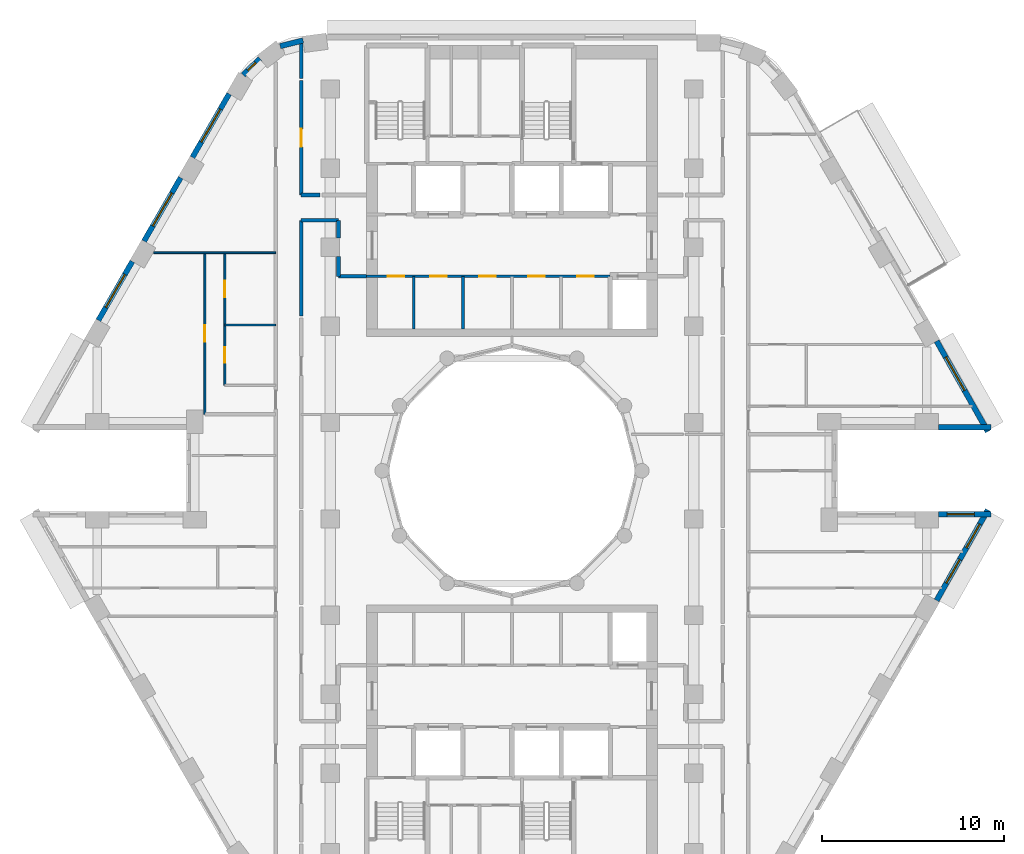
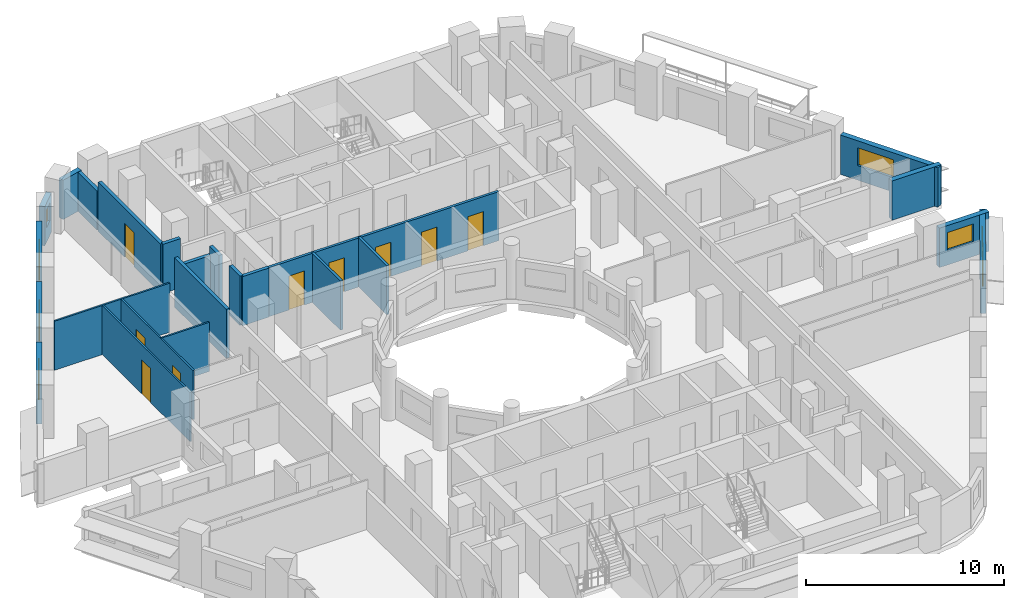
# One storey, part 7 of 14: 24 walls, 9 doors, 8 windows, 17 openings.
"""IFC4 building model written with IfcOpenShell, lengths in metres."""

from ifc_helpers import new_model, si_unit, direction, frame, frame_2d, origin, place, context, subcontext, project, spatial, rectangle, extrude, material, layer, layer_set, type_object, element, fill, save


model = new_model("IFC4")

# Units and contexts
model_context = context("Model", 3, precision=1e-05, world=origin(), true_north=direction((0.0, 1.0)))
body_context = subcontext(model_context, "Body", "Model", "MODEL_VIEW")
ifc_project = project(units=[si_unit("LENGTHUNIT", "METRE"), si_unit("AREAUNIT", "SQUARE_METRE"), si_unit("VOLUMEUNIT", "CUBIC_METRE"), si_unit("PLANEANGLEUNIT", "RADIAN"), si_unit("MASSUNIT", "GRAM", prefix="KILO")], contexts=[model_context])

# Site, building, storey
site_placement = place(None, origin())
site = spatial("IfcSite", under=ifc_project, at=site_placement, CompositionType="ELEMENT")
building_placement = place(site_placement, origin())
building = spatial("IfcBuilding", under=site, at=building_placement, Name="Nakaniwa Court", CompositionType="ELEMENT")
storey_placement = place(building_placement, frame((0.0, 0.0, 163.5)))
storey = spatial("IfcBuildingStorey", under=building, at=storey_placement, Name="L43", CompositionType="ELEMENT", Elevation=163.5)

# Walls
ifc_material_1 = material(Name="Acoustic double stud partition")
ifc_layer_1 = layer(ifc_material_1, 0.199951171875)
ifc_layer_set_1 = layer_set([ifc_layer_1], Name="Acoustic double stud partition")
wall_type_1 = type_object("IfcWallType", Name="Acoustic double stud partition 200", PredefinedType="PARTITIONING", material=ifc_layer_set_1)
wall_1_placement = place(storey_placement, frame((68.39990234375, 93.77490234375, 0.0), z_axis=(0.0, 0.0, 1.0), x_axis=(1.0, 0.0, 0.0)))
element("IfcWall", 1, at=wall_1_placement, inside=storey, type_object=wall_type_1, Name="Partition PW-094", PredefinedType="PARTITIONING", context=body_context, shape_type="SweptSolid", body=[
    extrude(rectangle(XDim=2.050048828125, YDim=0.199951171875, at=frame_2d((1.02490234375, 0.0))), origin(), (0.0, 0.0, 1.0), 2.5048828125),
])
wall_2_placement = place(storey_placement, frame((70.449951171875, 90.699951171875, 0.0), z_axis=(0.0, 0.0, 1.0), x_axis=(1.0, 0.0, 0.0)))
element("IfcWall", 2, at=wall_2_placement, inside=storey, type_object=wall_type_1, Name="Partition PW-096", PredefinedType="PARTITIONING", context=body_context, shape_type="SweptSolid", body=[
    extrude(rectangle(XDim=1.550048828125, YDim=0.199951171875, at=frame_2d((0.77490234375, 0.0))), origin(), (0.0, 0.0, 1.0), 3.02490234375),
])
wall_3_placement = place(storey_placement, frame((68.39990234375, 95.175048828125, 0.0), z_axis=(0.0, 0.0, 1.0), x_axis=(1.0, 0.0, 0.0)))
element("IfcWall", 3, at=wall_3_placement, inside=storey, type_object=wall_type_1, Name="Partition PW-098", PredefinedType="PARTITIONING", context=body_context, shape_type="SweptSolid", body=[
    extrude(rectangle(XDim=1.02294921875, YDim=0.199951171875, at=frame_2d((0.511474609375, 0.0))), origin(), (0.0, 0.0, 1.0), 3.02490234375),
])
wall_4_placement = place(storey_placement, frame((68.39990234375, 88.527099609375, 0.0), z_axis=(0.0, 0.0, 1.0), x_axis=(0.0, 1.0, 0.0)))
element("IfcWall", 4, at=wall_4_placement, inside=storey, type_object=wall_type_1, Name="Partition PW-107", PredefinedType="PARTITIONING", context=body_context, shape_type="SweptSolid", body=[
    extrude(rectangle(XDim=5.247802734375, YDim=0.199951171875, at=frame_2d((2.6240234375, 0.0))), origin(), (0.0, 0.0, 1.0), 3.02490234375),
])

# Wall, opening, door
wall_5_placement = place(storey_placement, frame((68.39990234375, 101.462890625, 0.0), z_axis=(0.0, 0.0, 1.0), x_axis=(0.0, -1.0, 0.0)))
wall_5 = element("IfcWall", 5, at=wall_5_placement, inside=storey, type_object=wall_type_1, Name="Partition PW-108", PredefinedType="PARTITIONING", context=body_context, shape_type="SweptSolid", body=[
    extrude(rectangle(XDim=6.287841796875, YDim=0.199951171875, at=frame_2d((3.14404296875, 0.0))), origin(), (0.0, 0.0, 1.0), 3.02490234375),
])
opening_1_placement = place(wall_5_placement, frame((2.64501953125, 0.0, 0.0)))
opening_1 = element("IfcOpeningElement", 6, at=opening_1_placement, cuts=wall_5, Name="Opening D-02-11", PredefinedType="OPENING", context=body_context, shape_type="SweptSolid", body=[
    extrude(rectangle(XDim=1.0, YDim=2.10009765625, at=frame_2d((0.5, 1.050048828125))), frame((0.0, 0.10986328125, 0.0), z_axis=(0.0, -1.0, 0.0), x_axis=(1.0, 0.0, 0.0)), (0.0, 0.0, 1.0), 0.219970703125),
])
ifc_material_2 = material(Name="Solid core timber door set, black veneer", Category="wood")
door_type_1 = type_object("IfcDoorType", Name="Internal door 1000", OperationType="NOTDEFINED", PredefinedType="DOOR", material=ifc_material_2)
door_1_placement = place(opening_1_placement, origin())
door_1 = element("IfcDoor", 7, at=door_1_placement, inside=storey, type_object=door_type_1, Name="Door D-02-11 L43-057", OperationType="SINGLE_SWING_RIGHT", OverallHeight=2.10009765625, OverallWidth=1.0, PredefinedType="DOOR", context=body_context, shape_type="SweptSolid", body=[
    extrude(rectangle(XDim=1.0, YDim=2.10009765625, at=frame_2d((0.5, 1.050048828125))), frame((0.0, 0.02490234375, 0.0), z_axis=(0.0, -1.0, 0.0), x_axis=(1.0, 0.0, 0.0)), (0.0, 0.0, 1.0), 0.050048828125),
])
fill(opening_1, door_1)

# Walls
wall_6_placement = place(storey_placement, frame((68.39990234375, 101.5771484375, 0.0), z_axis=(0.0, 0.0, 1.0), x_axis=(0.0, 1.0, 0.0)))
element("IfcWall", 8, at=wall_6_placement, inside=storey, type_object=wall_type_1, Name="Partition PW-109", PredefinedType="PARTITIONING", context=body_context, shape_type="SweptSolid", body=[
    extrude(rectangle(XDim=2.02197265625, YDim=0.199951171875, at=frame_2d((1.010986328125, 0.0))), origin(), (0.0, 0.0, 1.0), 2.405029296875),
])
wall_7_placement = place(storey_placement, frame((70.449951171875, 90.699951171875, 0.0), z_axis=(0.0, 0.0, 1.0), x_axis=(0.0, 1.0, 0.0)))
element("IfcWall", 9, at=wall_7_placement, inside=storey, type_object=wall_type_1, Name="Partition PW-113", PredefinedType="PARTITIONING", context=body_context, shape_type="SweptSolid", body=[
    extrude(rectangle(XDim=1.082763671875, YDim=0.199951171875, at=frame_2d((0.54150390625, 0.0))), origin(), (0.0, 0.0, 1.0), 3.02490234375),
])
wall_8_placement = place(storey_placement, frame((70.449951171875, 92.817138671875, 0.0), z_axis=(0.0, 0.0, 1.0), x_axis=(0.0, 1.0, 0.0)))
element("IfcWall", 10, at=wall_8_placement, inside=storey, type_object=wall_type_1, Name="Partition PW-114", PredefinedType="PARTITIONING", context=body_context, shape_type="SweptSolid", body=[
    extrude(rectangle(XDim=0.957763671875, YDim=0.199951171875, at=frame_2d((0.47900390625, 0.0))), origin(), (0.0, 0.0, 1.0), 3.02490234375),
])
ifc_material_3 = material(Name="Charcoal ceramic cladding")
ifc_layer_2 = layer(ifc_material_3, 0.02, Name="Ceramic cladding")
ifc_material_4 = material(Name="Ventilated air cavity")
ifc_layer_3 = layer(ifc_material_4, 0.04, ventilated=True, Name="Ventilated cavity")
ifc_material_5 = material(Name="Mineral wool insulation")
ifc_layer_4 = layer(ifc_material_5, 0.1, Name="Insulation")
ifc_material_6 = material(Name="Cement bonded sheathing board")
ifc_layer_5 = layer(ifc_material_6, 0.012, Name="Sheathing")
ifc_material_7 = material(Name="Cold-formed galvanised stud frame with mineral wool infill")
ifc_layer_6 = layer(ifc_material_7, 0.1, Name="Stud frame")
ifc_material_8 = material(Name="Fire-rated gypsum plasterboard lining")
ifc_layer_7 = layer(ifc_material_8, 0.028, Name="Lining")
ifc_layer_set_2 = layer_set([ifc_layer_2, ifc_layer_3, ifc_layer_4, ifc_layer_5, ifc_layer_6, ifc_layer_7], Name="Charcoal ceramic faced external wall system")
wall_type_2 = type_object("IfcWallType", Name="Black ceramic faced external wall 300", PredefinedType="SOLIDWALL", material=ifc_layer_set_2)
wall_9_placement = place(storey_placement, frame((103.468994140625, 82.39990234375, 0.0), z_axis=(0.0, 0.0, 1.0), x_axis=(1.0, 0.0, 0.0)))
element("IfcWall", 11, at=wall_9_placement, inside=storey, type_object=wall_type_2, Name="L43 external wall 01", PredefinedType="SOLIDWALL", context=body_context, shape_type="SweptSolid", body=[
    extrude(rectangle(XDim=2.8876953125, YDim=0.300048828125, at=frame_2d((1.44384765625, 0.0))), origin(), (0.0, 0.0, 1.0), 2.425048828125),
])

# Wall, opening, window
wall_10_placement = place(storey_placement, frame((106.18603515625, 82.1533203125, 0.0), z_axis=(0.0, 0.0, 1.0), x_axis=(-0.492498306264, 0.87031340236, 0.0)))
wall_10 = element("IfcWall", 12, at=wall_10_placement, inside=storey, type_object=wall_type_2, Name="L43 external wall 02", PredefinedType="SOLIDWALL", context=body_context, shape_type="SweptSolid", body=[
    extrude(rectangle(XDim=5.7265625, YDim=0.300048828125, at=frame_2d((2.86328125, 0.0))), origin(), (0.0, 0.0, 1.0), 2.425048828125),
])
opening_2_placement = place(wall_10_placement, frame((2.604248046875, 0.0, 0.89990234375)))
opening_2 = element("IfcOpeningElement", 13, at=opening_2_placement, cuts=wall_10, Name="Opening W7.01", PredefinedType="OPENING", context=body_context, shape_type="SweptSolid", body=[
    extrude(rectangle(XDim=2.10009765625, YDim=1.10009765625, at=frame_2d((1.050048828125, 0.550048828125))), frame((0.0, 0.159912109375, 0.0), z_axis=(0.0, -1.0, 0.0), x_axis=(1.0, 0.0, 0.0)), (0.0, 0.0, 1.0), 0.320068359375),
])
ifc_material_9 = material(Name="Black anodised aluminium frame with dark low-E laminated double glazing", Category="aluminium")
window_type_1 = type_object("IfcWindowType", Name="Dark glass window 2100x1100 sill 900", PartitioningType="SINGLE_PANEL", PredefinedType="WINDOW", material=ifc_material_9)
window_1_placement = place(opening_2_placement, origin())
window_1 = element("IfcWindow", 14, at=window_1_placement, inside=storey, type_object=window_type_1, Name="L43 habitable room window 02-1", OverallHeight=1.10009765625, OverallWidth=2.10009765625, PartitioningType="SINGLE_PANEL", PredefinedType="WINDOW", context=body_context, shape_type="SweptSolid", body=[
    extrude(rectangle(XDim=2.10009765625, YDim=1.10009765625, at=frame_2d((1.050048828125, 0.550048828125))), frame((0.0, 0.030029296875, 0.0), z_axis=(0.0, -1.0, 0.0), x_axis=(1.0, 0.0, 0.0)), (0.0, 0.0, 1.0), 0.06005859375),
])
fill(opening_2, window_1)

# Wall
wall_11_placement = place(storey_placement, frame((68.506103515625, 103.68310546875, 0.0), z_axis=(0.0, 0.0, 1.0), x_axis=(-0.96924493129, -0.246098076322, 0.0)))
element("IfcWall", 15, at=wall_11_placement, inside=storey, type_object=wall_type_2, Name="L43 external wall 09", PredefinedType="SOLIDWALL", context=body_context, shape_type="SweptSolid", body=[
    extrude(rectangle(XDim=1.305419921875, YDim=0.300048828125, at=frame_2d((0.65283203125, 0.0))), origin(), (0.0, 0.0, 1.0), 2.425048828125),
])

# Wall, opening, window
wall_12_placement = place(storey_placement, frame((66.12890625, 102.68798828125, 0.0), z_axis=(0.0, 0.0, 1.0), x_axis=(-0.70881270082, -0.705396735997, 0.0)))
wall_12 = element("IfcWall", 16, at=wall_12_placement, inside=storey, type_object=wall_type_2, Name="L43 external wall 10", PredefinedType="SOLIDWALL", context=body_context, shape_type="SweptSolid", body=[
    extrude(rectangle(XDim=1.286376953125, YDim=0.300048828125, at=frame_2d((0.64306640625, 0.0))), origin(), (0.0, 0.0, 1.0), 2.425048828125),
])
opening_3_placement = place(wall_12_placement, frame((0.3330078125, 0.0, 0.89990234375)))
opening_3 = element("IfcOpeningElement", 17, at=opening_3_placement, cuts=wall_12, Name="Opening W8.08", PredefinedType="OPENING", context=body_context, shape_type="SweptSolid", body=[
    extrude(rectangle(XDim=0.60009765625, YDim=1.10009765625, at=frame_2d((0.300048828125, 0.550048828125))), frame((0.0, 0.159912109375, 0.0), z_axis=(0.0, -1.0, 0.0), x_axis=(1.0, 0.0, 0.0)), (0.0, 0.0, 1.0), 0.320068359375),
])
window_type_2 = type_object("IfcWindowType", Name="Dark glass window 600x1100 sill 900", PartitioningType="SINGLE_PANEL", PredefinedType="WINDOW", material=ifc_material_9)
window_2_placement = place(opening_3_placement, origin())
window_2 = element("IfcWindow", 18, at=window_2_placement, inside=storey, type_object=window_type_2, Name="L43 habitable room window 10-0", OverallHeight=1.10009765625, OverallWidth=0.60009765625, PartitioningType="SINGLE_PANEL", PredefinedType="WINDOW", context=body_context, shape_type="SweptSolid", body=[
    extrude(rectangle(XDim=0.60009765625, YDim=1.10009765625, at=frame_2d((0.300048828125, 0.550048828125))), frame((0.0, 0.030029296875, 0.0), z_axis=(0.0, -1.0, 0.0), x_axis=(1.0, 0.0, 0.0)), (0.0, 0.0, 1.0), 0.06005859375),
])
fill(opening_3, window_2)

wall_13_placement = place(storey_placement, frame((64.434814453125, 100.739990234375, 0.0), z_axis=(0.0, 0.0, 1.0), x_axis=(-0.500031546601, -0.86600718958, 0.0)))
wall_13 = element("IfcWall", 19, at=wall_13_placement, inside=storey, type_object=wall_type_2, Name="L43 external wall 11", PredefinedType="SOLIDWALL", context=body_context, shape_type="SweptSolid", body=[
    extrude(rectangle(XDim=4.033935546875, YDim=0.300048828125, at=frame_2d((2.01708984375, 0.0))), origin(), (0.0, 0.0, 1.0), 2.425048828125),
])
opening_4_placement = place(wall_13_placement, frame((0.967041015625, 0.0, 0.89990234375)))
opening_4 = element("IfcOpeningElement", 20, at=opening_4_placement, cuts=wall_13, Name="Opening W7.09", PredefinedType="OPENING", context=body_context, shape_type="SweptSolid", body=[
    extrude(rectangle(XDim=2.10009765625, YDim=1.10009765625, at=frame_2d((1.050048828125, 0.550048828125))), frame((0.0, 0.159912109375, 0.0), z_axis=(0.0, -1.0, 0.0), x_axis=(1.0, 0.0, 0.0)), (0.0, 0.0, 1.0), 0.320068359375),
])
window_3_placement = place(opening_4_placement, origin())
window_3 = element("IfcWindow", 21, at=window_3_placement, inside=storey, type_object=window_type_1, Name="L43 habitable room window 11-0", OverallHeight=1.10009765625, OverallWidth=2.10009765625, PartitioningType="SINGLE_PANEL", PredefinedType="WINDOW", context=body_context, shape_type="SweptSolid", body=[
    extrude(rectangle(XDim=2.10009765625, YDim=1.10009765625, at=frame_2d((1.050048828125, 0.550048828125))), frame((0.0, 0.030029296875, 0.0), z_axis=(0.0, -1.0, 0.0), x_axis=(1.0, 0.0, 0.0)), (0.0, 0.0, 1.0), 0.06005859375),
])
fill(opening_4, window_3)

wall_14_placement = place(storey_placement, frame((61.771728515625, 96.127685546875, 0.0), z_axis=(0.0, 0.0, 1.0), x_axis=(-0.500031546601, -0.86600718958, 0.0)))
wall_14 = element("IfcWall", 22, at=wall_14_placement, inside=storey, type_object=wall_type_2, Name="L43 external wall 12", PredefinedType="SOLIDWALL", context=body_context, shape_type="SweptSolid", body=[
    extrude(rectangle(XDim=4.033935546875, YDim=0.300048828125, at=frame_2d((2.01708984375, 0.0))), origin(), (0.0, 0.0, 1.0), 2.425048828125),
])
opening_5_placement = place(wall_14_placement, frame((0.966796875, 0.0, 0.89990234375)))
opening_5 = element("IfcOpeningElement", 23, at=opening_5_placement, cuts=wall_14, Name="Opening W7.10", PredefinedType="OPENING", context=body_context, shape_type="SweptSolid", body=[
    extrude(rectangle(XDim=2.10009765625, YDim=1.10009765625, at=frame_2d((1.050048828125, 0.550048828125))), frame((0.0, 0.159912109375, 0.0), z_axis=(0.0, -1.0, 0.0), x_axis=(1.0, 0.0, 0.0)), (0.0, 0.0, 1.0), 0.320068359375),
])
window_4_placement = place(opening_5_placement, origin())
window_4 = element("IfcWindow", 24, at=window_4_placement, inside=storey, type_object=window_type_1, Name="L43 habitable room window 12-0", OverallHeight=1.10009765625, OverallWidth=2.10009765625, PartitioningType="SINGLE_PANEL", PredefinedType="WINDOW", context=body_context, shape_type="SweptSolid", body=[
    extrude(rectangle(XDim=2.10009765625, YDim=1.10009765625, at=frame_2d((1.050048828125, 0.550048828125))), frame((0.0, 0.030029296875, 0.0), z_axis=(0.0, -1.0, 0.0), x_axis=(1.0, 0.0, 0.0)), (0.0, 0.0, 1.0), 0.06005859375),
])
fill(opening_5, window_4)

wall_15_placement = place(storey_placement, frame((59.108642578125, 91.515380859375, 0.0), z_axis=(0.0, 0.0, 1.0), x_axis=(-0.499933594891, -0.866063739398, 0.0)))
wall_15 = element("IfcWall", 25, at=wall_15_placement, inside=storey, type_object=wall_type_2, Name="L43 external wall 13", PredefinedType="SOLIDWALL", context=body_context, shape_type="SweptSolid", body=[
    extrude(rectangle(XDim=3.73681640625, YDim=0.300048828125, at=frame_2d((1.868408203125, 0.0))), origin(), (0.0, 0.0, 1.0), 2.425048828125),
])
opening_6_placement = place(wall_15_placement, frame((0.818359375, 0.0, 0.89990234375)))
opening_6 = element("IfcOpeningElement", 26, at=opening_6_placement, cuts=wall_15, Name="Opening W7.11", PredefinedType="OPENING", context=body_context, shape_type="SweptSolid", body=[
    extrude(rectangle(XDim=2.10009765625, YDim=1.10009765625, at=frame_2d((1.050048828125, 0.550048828125))), frame((0.0, 0.159912109375, 0.0), z_axis=(0.0, -1.0, 0.0), x_axis=(1.0, 0.0, 0.0)), (0.0, 0.0, 1.0), 0.320068359375),
])
window_5_placement = place(opening_6_placement, origin())
window_5 = element("IfcWindow", 27, at=window_5_placement, inside=storey, type_object=window_type_1, Name="L43 living window 13-0", OverallHeight=1.10009765625, OverallWidth=2.10009765625, PartitioningType="SINGLE_PANEL", PredefinedType="WINDOW", context=body_context, shape_type="SweptSolid", body=[
    extrude(rectangle(XDim=2.10009765625, YDim=1.10009765625, at=frame_2d((1.050048828125, 0.550048828125))), frame((0.0, 0.030029296875, 0.0), z_axis=(0.0, -1.0, 0.0), x_axis=(1.0, 0.0, 0.0)), (0.0, 0.0, 1.0), 0.06005859375),
])
fill(opening_6, window_5)

# Wall, openings, windows
wall_16_placement = place(storey_placement, frame((103.36572265625, 72.86279296875, 0.0), z_axis=(0.0, 0.0, 1.0), x_axis=(0.492498306264, 0.87031340236, 0.0)))
wall_16 = element("IfcWall", 28, at=wall_16_placement, inside=storey, type_object=wall_type_2, Name="L43 external wall 32", PredefinedType="SOLIDWALL", context=body_context, shape_type="SweptSolid", body=[
    extrude(rectangle(XDim=5.7265625, YDim=0.300048828125, at=frame_2d((2.86328125, 0.0))), origin(), (0.0, 0.0, 1.0), 2.425048828125),
])
opening_7_placement = place(wall_16_placement, frame((1.093017578125, 0.0, 0.89990234375)))
opening_7 = element("IfcOpeningElement", 29, at=opening_7_placement, cuts=wall_16, Name="Opening W5.29", PredefinedType="OPENING", context=body_context, shape_type="SweptSolid", body=[
    extrude(rectangle(XDim=1.5, YDim=1.10009765625, at=frame_2d((0.75, 0.550048828125))), frame((0.0, 0.159912109375, 0.0), z_axis=(0.0, -1.0, 0.0), x_axis=(1.0, 0.0, 0.0)), (0.0, 0.0, 1.0), 0.320068359375),
])
opening_8_placement = place(wall_16_placement, frame((3.333740234375, 0.0, 0.89990234375)))
opening_8 = element("IfcOpeningElement", 30, at=opening_8_placement, cuts=wall_16, Name="Opening W5.30", PredefinedType="OPENING", context=body_context, shape_type="SweptSolid", body=[
    extrude(rectangle(XDim=1.5, YDim=1.10009765625, at=frame_2d((0.75, 0.550048828125))), frame((0.0, 0.159912109375, 0.0), z_axis=(0.0, -1.0, 0.0), x_axis=(1.0, 0.0, 0.0)), (0.0, 0.0, 1.0), 0.320068359375),
])
window_type_3 = type_object("IfcWindowType", Name="Dark glass window 1500x1100 sill 900", PartitioningType="SINGLE_PANEL", PredefinedType="WINDOW", material=ifc_material_9)
window_6_placement = place(opening_7_placement, origin())
window_6 = element("IfcWindow", 31, at=window_6_placement, inside=storey, type_object=window_type_3, Name="L43 habitable room window 32-1", OverallHeight=1.10009765625, OverallWidth=1.5, PartitioningType="SINGLE_PANEL", PredefinedType="WINDOW", context=body_context, shape_type="SweptSolid", body=[
    extrude(rectangle(XDim=1.5, YDim=1.10009765625, at=frame_2d((0.75, 0.550048828125))), frame((0.0, 0.030029296875, 0.0), z_axis=(0.0, -1.0, 0.0), x_axis=(1.0, 0.0, 0.0)), (0.0, 0.0, 1.0), 0.06005859375),
])
fill(opening_7, window_6)
window_7_placement = place(opening_8_placement, origin())
window_7 = element("IfcWindow", 32, at=window_7_placement, inside=storey, type_object=window_type_3, Name="L43 living window 32-2", OverallHeight=1.10009765625, OverallWidth=1.5, PartitioningType="SINGLE_PANEL", PredefinedType="WINDOW", context=body_context, shape_type="SweptSolid", body=[
    extrude(rectangle(XDim=1.5, YDim=1.10009765625, at=frame_2d((0.75, 0.550048828125))), frame((0.0, 0.030029296875, 0.0), z_axis=(0.0, -1.0, 0.0), x_axis=(1.0, 0.0, 0.0)), (0.0, 0.0, 1.0), 0.06005859375),
])
fill(opening_8, window_7)

# Wall, opening, window
wall_17_placement = place(storey_placement, frame((106.356689453125, 77.60009765625, 0.0), z_axis=(0.0, 0.0, 1.0), x_axis=(-1.0, 0.0, 0.0)))
wall_17 = element("IfcWall", 33, at=wall_17_placement, inside=storey, type_object=wall_type_2, Name="L43 external wall 33", PredefinedType="SOLIDWALL", context=body_context, shape_type="SweptSolid", body=[
    extrude(rectangle(XDim=2.8876953125, YDim=0.300048828125, at=frame_2d((1.44384765625, 0.0))), origin(), (0.0, 0.0, 1.0), 2.425048828125),
])
opening_9_placement = place(wall_17_placement, frame((0.9189453125, 0.0, 0.89990234375)))
opening_9 = element("IfcOpeningElement", 34, at=opening_9_placement, cuts=wall_17, Name="Opening W5.31", PredefinedType="OPENING", context=body_context, shape_type="SweptSolid", body=[
    extrude(rectangle(XDim=1.5, YDim=1.10009765625, at=frame_2d((0.75, 0.550048828125))), frame((0.0, 0.159912109375, 0.0), z_axis=(0.0, -1.0, 0.0), x_axis=(1.0, 0.0, 0.0)), (0.0, 0.0, 1.0), 0.320068359375),
])
window_8_placement = place(opening_9_placement, origin())
window_8 = element("IfcWindow", 35, at=window_8_placement, inside=storey, type_object=window_type_3, Name="L43 living window 33-0", OverallHeight=1.10009765625, OverallWidth=1.5, PartitioningType="SINGLE_PANEL", PredefinedType="WINDOW", context=body_context, shape_type="SweptSolid", body=[
    extrude(rectangle(XDim=1.5, YDim=1.10009765625, at=frame_2d((0.75, 0.550048828125))), frame((0.0, 0.030029296875, 0.0), z_axis=(0.0, -1.0, 0.0), x_axis=(1.0, 0.0, 0.0)), (0.0, 0.0, 1.0), 0.06005859375),
])
fill(opening_9, window_8)

# Wall
ifc_material_10 = material(Name="Blockwork partition", Category="masonry")
ifc_layer_8 = layer(ifc_material_10, 0.14990234375)
ifc_layer_set_3 = layer_set([ifc_layer_8], Name="Blockwork partition")
wall_type_3 = type_object("IfcWallType", Name="Blockwork partition 150", PredefinedType="PARTITIONING", material=ifc_layer_set_3)
wall_18_placement = place(storey_placement, frame((74.60009765625, 87.800048828125, 0.0), z_axis=(0.0, 0.0, 1.0), x_axis=(0.0, 1.0, 0.0)))
element("IfcWall", 36, at=wall_18_placement, inside=storey, type_object=wall_type_3, Name="Partition PW-001", PredefinedType="PARTITIONING", context=body_context, shape_type="SweptSolid", body=[
    extrude(rectangle(XDim=2.89990234375, YDim=0.14990234375, at=frame_2d((1.449951171875, 0.0))), origin(), (0.0, 0.0, 1.0), 3.02490234375),
])

# Wall, openings, doors
wall_19_placement = place(storey_placement, frame((85.39990234375, 90.699951171875, 0.0), z_axis=(0.0, 0.0, 1.0), x_axis=(-1.0, 0.0, 0.0)))
wall_19 = element("IfcWall", 37, at=wall_19_placement, inside=storey, type_object=wall_type_3, Name="Partition PW-002", PredefinedType="PARTITIONING", context=body_context, shape_type="SweptSolid", body=[
    extrude(rectangle(XDim=13.39990234375, YDim=0.14990234375, at=frame_2d((6.699951171875, 0.0))), origin(), (0.0, 0.0, 1.0), 3.02490234375),
])
opening_10_placement = place(wall_19_placement, frame((11.324951171875, 0.0, 0.0)))
opening_10 = element("IfcOpeningElement", 38, at=opening_10_placement, cuts=wall_19, Name="Opening D-05-01", PredefinedType="OPENING", context=body_context, shape_type="SweptSolid", body=[
    extrude(rectangle(XDim=0.89990234375, YDim=2.10009765625, at=frame_2d((0.449951171875, 1.050048828125))), frame((0.0, 0.0849609375, 0.0), z_axis=(0.0, -1.0, 0.0), x_axis=(1.0, 0.0, 0.0)), (0.0, 0.0, 1.0), 0.169921875),
])
opening_11_placement = place(wall_19_placement, frame((9.0, 0.0, 0.0)))
opening_11 = element("IfcOpeningElement", 39, at=opening_11_placement, cuts=wall_19, Name="Opening D-05-02", PredefinedType="OPENING", context=body_context, shape_type="SweptSolid", body=[
    extrude(rectangle(XDim=0.89990234375, YDim=2.10009765625, at=frame_2d((0.449951171875, 1.050048828125))), frame((0.0, 0.0849609375, 0.0), z_axis=(0.0, -1.0, 0.0), x_axis=(1.0, 0.0, 0.0)), (0.0, 0.0, 1.0), 0.169921875),
])
opening_12_placement = place(wall_19_placement, frame((6.300048828125, 0.0, 0.0)))
opening_12 = element("IfcOpeningElement", 40, at=opening_12_placement, cuts=wall_19, Name="Opening D-05-03", PredefinedType="OPENING", context=body_context, shape_type="SweptSolid", body=[
    extrude(rectangle(XDim=0.89990234375, YDim=2.10009765625, at=frame_2d((0.449951171875, 1.050048828125))), frame((0.0, 0.0849609375, 0.0), z_axis=(0.0, -1.0, 0.0), x_axis=(1.0, 0.0, 0.0)), (0.0, 0.0, 1.0), 0.169921875),
])
opening_13_placement = place(wall_19_placement, frame((3.60009765625, 0.0, 0.0)))
opening_13 = element("IfcOpeningElement", 41, at=opening_13_placement, cuts=wall_19, Name="Opening D-05-04", PredefinedType="OPENING", context=body_context, shape_type="SweptSolid", body=[
    extrude(rectangle(XDim=0.89990234375, YDim=2.10009765625, at=frame_2d((0.449951171875, 1.050048828125))), frame((0.0, 0.0849609375, 0.0), z_axis=(0.0, -1.0, 0.0), x_axis=(1.0, 0.0, 0.0)), (0.0, 0.0, 1.0), 0.169921875),
])
opening_14_placement = place(wall_19_placement, frame((0.89990234375, 0.0, 0.0)))
opening_14 = element("IfcOpeningElement", 42, at=opening_14_placement, cuts=wall_19, Name="Opening D-05-05", PredefinedType="OPENING", context=body_context, shape_type="SweptSolid", body=[
    extrude(rectangle(XDim=0.89990234375, YDim=2.10009765625, at=frame_2d((0.449951171875, 1.050048828125))), frame((0.0, 0.0849609375, 0.0), z_axis=(0.0, -1.0, 0.0), x_axis=(1.0, 0.0, 0.0)), (0.0, 0.0, 1.0), 0.169921875),
])
ifc_material_11 = material(Name="Fire rated steel door set", Category="steel")
door_type_2 = type_object("IfcDoorType", Name="Service room door 900", OperationType="NOTDEFINED", PredefinedType="DOOR", material=ifc_material_11)
door_2_placement = place(opening_10_placement, origin())
door_2 = element("IfcDoor", 43, at=door_2_placement, inside=storey, type_object=door_type_2, Name="Door D-05-01 L43-001", OperationType="SINGLE_SWING_RIGHT", OverallHeight=2.10009765625, OverallWidth=0.89990234375, PredefinedType="DOOR", context=body_context, shape_type="SweptSolid", body=[
    extrude(rectangle(XDim=0.89990234375, YDim=2.10009765625, at=frame_2d((0.449951171875, 1.050048828125))), frame((0.0, 0.02490234375, 0.0), z_axis=(0.0, -1.0, 0.0), x_axis=(1.0, 0.0, 0.0)), (0.0, 0.0, 1.0), 0.050048828125),
])
fill(opening_10, door_2)
door_3_placement = place(opening_11_placement, origin())
door_3 = element("IfcDoor", 44, at=door_3_placement, inside=storey, type_object=door_type_2, Name="Door D-05-02 L43-002", OperationType="SINGLE_SWING_LEFT", OverallHeight=2.10009765625, OverallWidth=0.89990234375, PredefinedType="DOOR", context=body_context, shape_type="SweptSolid", body=[
    extrude(rectangle(XDim=0.89990234375, YDim=2.10009765625, at=frame_2d((0.449951171875, 1.050048828125))), frame((0.0, 0.02490234375, 0.0), z_axis=(0.0, -1.0, 0.0), x_axis=(1.0, 0.0, 0.0)), (0.0, 0.0, 1.0), 0.050048828125),
])
fill(opening_11, door_3)
door_4_placement = place(opening_12_placement, origin())
door_4 = element("IfcDoor", 45, at=door_4_placement, inside=storey, type_object=door_type_2, Name="Door D-05-03 L43-003", OperationType="SINGLE_SWING_RIGHT", OverallHeight=2.10009765625, OverallWidth=0.89990234375, PredefinedType="DOOR", context=body_context, shape_type="SweptSolid", body=[
    extrude(rectangle(XDim=0.89990234375, YDim=2.10009765625, at=frame_2d((0.449951171875, 1.050048828125))), frame((0.0, 0.02490234375, 0.0), z_axis=(0.0, -1.0, 0.0), x_axis=(1.0, 0.0, 0.0)), (0.0, 0.0, 1.0), 0.050048828125),
])
fill(opening_12, door_4)
door_5_placement = place(opening_13_placement, origin())
door_5 = element("IfcDoor", 46, at=door_5_placement, inside=storey, type_object=door_type_2, Name="Door D-05-04 L43-004", OperationType="SINGLE_SWING_LEFT", OverallHeight=2.10009765625, OverallWidth=0.89990234375, PredefinedType="DOOR", context=body_context, shape_type="SweptSolid", body=[
    extrude(rectangle(XDim=0.89990234375, YDim=2.10009765625, at=frame_2d((0.449951171875, 1.050048828125))), frame((0.0, 0.02490234375, 0.0), z_axis=(0.0, -1.0, 0.0), x_axis=(1.0, 0.0, 0.0)), (0.0, 0.0, 1.0), 0.050048828125),
])
fill(opening_13, door_5)
door_6_placement = place(opening_14_placement, origin())
door_6 = element("IfcDoor", 47, at=door_6_placement, inside=storey, type_object=door_type_2, Name="Door D-05-05 L43-005", OperationType="SINGLE_SWING_RIGHT", OverallHeight=2.10009765625, OverallWidth=0.89990234375, PredefinedType="DOOR", context=body_context, shape_type="SweptSolid", body=[
    extrude(rectangle(XDim=0.89990234375, YDim=2.10009765625, at=frame_2d((0.449951171875, 1.050048828125))), frame((0.0, 0.02490234375, 0.0), z_axis=(0.0, -1.0, 0.0), x_axis=(1.0, 0.0, 0.0)), (0.0, 0.0, 1.0), 0.050048828125),
])
fill(opening_14, door_6)

# Walls
wall_20_placement = place(storey_placement, frame((77.300048828125, 87.800048828125, 0.0), z_axis=(0.0, 0.0, 1.0), x_axis=(0.0, 1.0, 0.0)))
element("IfcWall", 48, at=wall_20_placement, inside=storey, type_object=wall_type_3, Name="Partition PW-008", PredefinedType="PARTITIONING", context=body_context, shape_type="SweptSolid", body=[
    extrude(rectangle(XDim=2.89990234375, YDim=0.14990234375, at=frame_2d((1.449951171875, 0.0))), origin(), (0.0, 0.0, 1.0), 3.02490234375),
])
ifc_material_12 = material(Name="Single stud plasterboard partition")
ifc_layer_9 = layer(ifc_material_12, 0.10009765625)
ifc_layer_set_4 = layer_set([ifc_layer_9], Name="Single stud plasterboard partition")
wall_type_4 = type_object("IfcWallType", Name="Single stud plasterboard partition 100", PredefinedType="PARTITIONING", material=ifc_layer_set_4)
wall_21_placement = place(storey_placement, frame((64.198974609375, 88.01806640625, 0.0), z_axis=(0.0, 0.0, 1.0), x_axis=(1.0, 0.0, 0.0)))
element("IfcWall", 49, at=wall_21_placement, inside=storey, type_object=wall_type_4, Name="Partition PW-138", PredefinedType="PARTITIONING", context=body_context, shape_type="SweptSolid", body=[
    extrude(rectangle(XDim=2.800048828125, YDim=0.10009765625, at=frame_2d((1.39990234375, 0.0))), origin(), (0.0, 0.0, 1.0), 3.02490234375),
])

# Wall, openings, doors
wall_22_placement = place(storey_placement, frame((64.198974609375, 92.0, 0.0), z_axis=(0.0, 0.0, 1.0), x_axis=(0.0, -1.0, 0.0)))
wall_22 = element("IfcWall", 50, at=wall_22_placement, inside=storey, type_object=wall_type_4, Name="Partition PW-139", PredefinedType="PARTITIONING", context=body_context, shape_type="SweptSolid", body=[
    extrude(rectangle(XDim=7.300048828125, YDim=0.10009765625, at=frame_2d((3.64990234375, 0.0))), origin(), (0.0, 0.0, 1.0), 3.02490234375),
])
opening_15_placement = place(wall_22_placement, frame((5.216064453125, 0.0, 0.0)))
opening_15 = element("IfcOpeningElement", 51, at=opening_15_placement, cuts=wall_22, Name="Opening D-03-04", PredefinedType="OPENING", context=body_context, shape_type="SweptSolid", body=[
    extrude(rectangle(XDim=0.85009765625, YDim=2.10009765625, at=frame_2d((0.425048828125, 1.050048828125))), frame((0.0, 0.06005859375, 0.0), z_axis=(0.0, -1.0, 0.0), x_axis=(1.0, 0.0, 0.0)), (0.0, 0.0, 1.0), 0.1201171875),
])
opening_16_placement = place(wall_22_placement, frame((1.541015625, 0.0, 0.0)))
opening_16 = element("IfcOpeningElement", 52, at=opening_16_placement, cuts=wall_22, Name="Opening D-33-09", PredefinedType="OPENING", context=body_context, shape_type="SweptSolid", body=[
    extrude(rectangle(XDim=0.89990234375, YDim=2.10009765625, at=frame_2d((0.449951171875, 1.050048828125))), frame((0.0, 0.06005859375, 0.0), z_axis=(0.0, -1.0, 0.0), x_axis=(1.0, 0.0, 0.0)), (0.0, 0.0, 1.0), 0.1201171875),
])
ifc_material_13 = material(Name="Moisture sealed timber door set", Category="wood")
door_type_3 = type_object("IfcDoorType", Name="Bathroom door 850", OperationType="NOTDEFINED", PredefinedType="DOOR", material=ifc_material_13)
door_7_placement = place(opening_15_placement, origin())
door_7 = element("IfcDoor", 53, at=door_7_placement, inside=storey, type_object=door_type_3, Name="Door D-03-04 L43-050", OperationType="SINGLE_SWING_LEFT", OverallHeight=2.10009765625, OverallWidth=0.85009765625, PredefinedType="DOOR", context=body_context, shape_type="SweptSolid", body=[
    extrude(rectangle(XDim=0.85009765625, YDim=2.10009765625, at=frame_2d((0.425048828125, 1.050048828125))), frame((0.0, 0.02490234375, 0.0), z_axis=(0.0, -1.0, 0.0), x_axis=(1.0, 0.0, 0.0)), (0.0, 0.0, 1.0), 0.050048828125),
])
fill(opening_15, door_7)
door_type_4 = type_object("IfcDoorType", Name="Internal door 900", OperationType="NOTDEFINED", PredefinedType="DOOR", material=ifc_material_2)
door_8_placement = place(opening_16_placement, origin())
door_8 = element("IfcDoor", 54, at=door_8_placement, inside=storey, type_object=door_type_4, Name="Door D-33-09 L43-051", OperationType="SINGLE_SWING_RIGHT", OverallHeight=2.10009765625, OverallWidth=0.89990234375, PredefinedType="DOOR", context=body_context, shape_type="SweptSolid", body=[
    extrude(rectangle(XDim=0.89990234375, YDim=2.10009765625, at=frame_2d((0.449951171875, 1.050048828125))), frame((0.0, 0.02490234375, 0.0), z_axis=(0.0, -1.0, 0.0), x_axis=(1.0, 0.0, 0.0)), (0.0, 0.0, 1.0), 0.050048828125),
])
fill(opening_16, door_8)

# Wall
wall_23_placement = place(storey_placement, frame((60.27783203125, 92.0, 0.0), z_axis=(0.0, 0.0, 1.0), x_axis=(1.0, 0.0, 0.0)))
element("IfcWall", 55, at=wall_23_placement, inside=storey, type_object=wall_type_4, Name="Partition PW-141", PredefinedType="PARTITIONING", context=body_context, shape_type="SweptSolid", body=[
    extrude(rectangle(XDim=6.72119140625, YDim=0.10009765625, at=frame_2d((3.360595703125, 0.0))), origin(), (0.0, 0.0, 1.0), 3.02490234375),
])

# Wall, opening, door
wall_24_placement = place(storey_placement, frame((63.09912109375, 83.10009765625, 0.0), z_axis=(0.0, 0.0, 1.0), x_axis=(0.0, 1.0, 0.0)))
wall_24 = element("IfcWall", 56, at=wall_24_placement, inside=storey, type_object=wall_type_4, Name="Partition PW-142", PredefinedType="PARTITIONING", context=body_context, shape_type="SweptSolid", body=[
    extrude(rectangle(XDim=8.89990234375, YDim=0.10009765625, at=frame_2d((4.449951171875, 0.0))), origin(), (0.0, 0.0, 1.0), 3.02490234375),
])
opening_17_placement = place(wall_24_placement, frame((4.0, 0.0, 0.0)))
opening_17 = element("IfcOpeningElement", 57, at=opening_17_placement, cuts=wall_24, Name="Opening D-33-10", PredefinedType="OPENING", context=body_context, shape_type="SweptSolid", body=[
    extrude(rectangle(XDim=0.89990234375, YDim=2.10009765625, at=frame_2d((0.449951171875, 1.050048828125))), frame((0.0, 0.06005859375, 0.0), z_axis=(0.0, -1.0, 0.0), x_axis=(1.0, 0.0, 0.0)), (0.0, 0.0, 1.0), 0.1201171875),
])
door_9_placement = place(opening_17_placement, origin())
door_9 = element("IfcDoor", 58, at=door_9_placement, inside=storey, type_object=door_type_4, Name="Door D-33-10 L43-052", OperationType="SINGLE_SWING_LEFT", OverallHeight=2.10009765625, OverallWidth=0.89990234375, PredefinedType="DOOR", context=body_context, shape_type="SweptSolid", body=[
    extrude(rectangle(XDim=0.89990234375, YDim=2.10009765625, at=frame_2d((0.449951171875, 1.050048828125))), frame((0.0, 0.02490234375, 0.0), z_axis=(0.0, -1.0, 0.0), x_axis=(1.0, 0.0, 0.0)), (0.0, 0.0, 1.0), 0.050048828125),
])
fill(opening_17, door_9)

save(model, "model.ifc")
